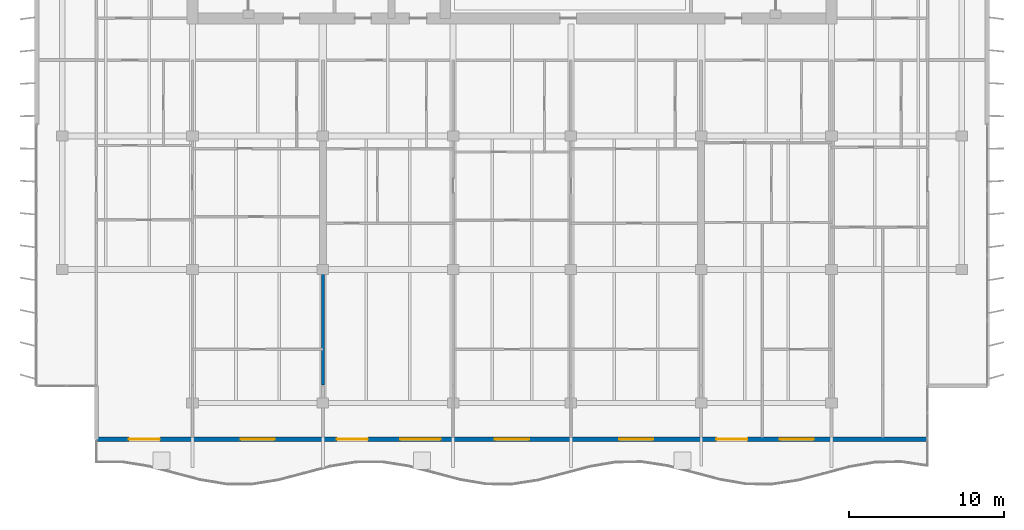
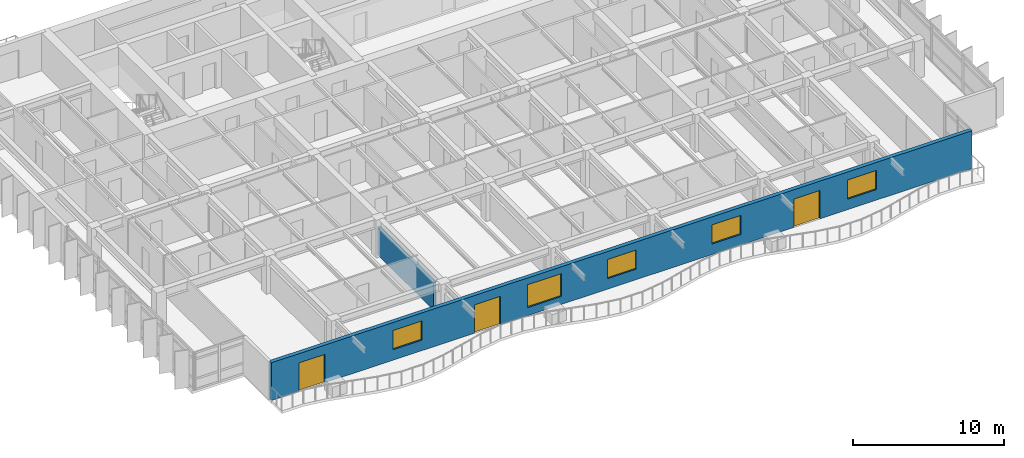
# One storey, part 7 of 19: 5 windows, 3 doors, 2 walls, 8 openings.
"""IFC4 building model written with IfcOpenShell, lengths in metres."""

from ifc_helpers import new_model, si_unit, direction, frame, frame_2d, origin, place, context, subcontext, project, spatial, rectangle, extrude, material, layer, layer_set, type_object, element, fill, save


model = new_model("IFC4")

# Units and contexts
model_context = context("Model", 3, precision=1e-05, world=origin(), true_north=direction((0.0, 1.0)))
body_context = subcontext(model_context, "Body", "Model", "MODEL_VIEW")
ifc_project = project(units=[si_unit("LENGTHUNIT", "METRE"), si_unit("AREAUNIT", "SQUARE_METRE"), si_unit("VOLUMEUNIT", "CUBIC_METRE"), si_unit("PLANEANGLEUNIT", "RADIAN"), si_unit("MASSUNIT", "GRAM", prefix="KILO")], contexts=[model_context])

# Site, building, storey
site_placement = place(None, origin())
site = spatial("IfcSite", under=ifc_project, at=site_placement, CompositionType="ELEMENT")
building_placement = place(site_placement, origin())
building = spatial("IfcBuilding", under=site, at=building_placement, Name="Caelmar Bay Residences", CompositionType="ELEMENT")
storey_placement = place(building_placement, frame((0.0, 0.0, 256.199951171875)))
storey = spatial("IfcBuildingStorey", under=building, at=storey_placement, Name="L72", CompositionType="ELEMENT", Elevation=256.199951171875)

# Wall, openings, doors, windows
ifc_material_1 = material(Name="Precast concrete f'c 40 MPa (6,000 psi)", Category="concrete")
ifc_layer_1 = layer(ifc_material_1, 0.300048828125)
ifc_layer_set_1 = layer_set([ifc_layer_1], Name="Precast concrete f'c 40 MPa (6,000 psi)")
wall_type_1 = type_object("IfcWallType", Name="W-EXT-300", PredefinedType="STANDARD", material=ifc_layer_set_1)
wall_1_placement = place(storey_placement, frame((65.699951171875, 9.85009765625, 0.0), z_axis=(0.0, 0.0, 1.0), x_axis=(-1.0, 0.0, 0.0)))
wall_1 = element("IfcWall", 1, at=wall_1_placement, inside=storey, type_object=wall_type_1, Name="L72 South Bayfront Exterior Wall", PredefinedType="STANDARD", context=body_context, shape_type="SweptSolid", body=[
    extrude(rectangle(XDim=53.599853515625, YDim=0.300048828125, at=frame_2d((26.7998046875, 0.0))), origin(), (0.0, 0.0, 1.0), 3.050048828125),
])
opening_1_placement = place(wall_1_placement, frame((49.5, 0.0, 0.0)))
opening_1 = element("IfcOpeningElement", 2, at=opening_1_placement, cuts=wall_1, Name="Opening L72-BD01", PredefinedType="OPENING", context=body_context, shape_type="SweptSolid", body=[
    extrude(rectangle(XDim=2.0, YDim=2.300048828125, at=frame_2d((1.0, 1.14990234375))), frame((0.0, 0.159912109375, 0.0), z_axis=(0.0, -1.0, 0.0), x_axis=(1.0, 0.0, 0.0)), (0.0, 0.0, 1.0), 0.320068359375),
])
opening_2_placement = place(wall_1_placement, frame((42.10009765625, 0.0, 0.85009765625)))
opening_2 = element("IfcOpeningElement", 3, at=opening_2_placement, cuts=wall_1, Name="Opening WN2", PredefinedType="OPENING", context=body_context, shape_type="SweptSolid", body=[
    extrude(rectangle(XDim=2.199951171875, YDim=1.550048828125, at=frame_2d((1.10009765625, 0.77490234375))), frame((0.0, 0.159912109375, 0.0), z_axis=(0.0, -1.0, 0.0), x_axis=(1.0, 0.0, 0.0)), (0.0, 0.0, 1.0), 0.320068359375),
])
opening_3_placement = place(wall_1_placement, frame((36.090087890625, 0.0, 0.0)))
opening_3 = element("IfcOpeningElement", 4, at=opening_3_placement, cuts=wall_1, Name="Opening L72-BD02", PredefinedType="OPENING", context=body_context, shape_type="SweptSolid", body=[
    extrude(rectangle(XDim=2.0, YDim=2.300048828125, at=frame_2d((1.0, 1.14990234375))), frame((0.0, 0.159912109375, 0.0), z_axis=(0.0, -1.0, 0.0), x_axis=(1.0, 0.0, 0.0)), (0.0, 0.0, 1.0), 0.320068359375),
])
opening_4_placement = place(wall_1_placement, frame((31.409912109375, 0.0, 0.64990234375)))
opening_4 = element("IfcOpeningElement", 5, at=opening_4_placement, cuts=wall_1, Name="Opening WN3", PredefinedType="OPENING", context=body_context, shape_type="SweptSolid", body=[
    extrude(rectangle(XDim=2.60009765625, YDim=1.85009765625, at=frame_2d((1.300048828125, 0.925048828125))), frame((0.0, 0.159912109375, 0.0), z_axis=(0.0, -1.0, 0.0), x_axis=(1.0, 0.0, 0.0)), (0.0, 0.0, 1.0), 0.320068359375),
])
opening_5_placement = place(wall_1_placement, frame((25.699951171875, 0.0, 0.85009765625)))
opening_5 = element("IfcOpeningElement", 6, at=opening_5_placement, cuts=wall_1, Name="Opening WN2", PredefinedType="OPENING", context=body_context, shape_type="SweptSolid", body=[
    extrude(rectangle(XDim=2.199951171875, YDim=1.550048828125, at=frame_2d((1.10009765625, 0.77490234375))), frame((0.0, 0.159912109375, 0.0), z_axis=(0.0, -1.0, 0.0), x_axis=(1.0, 0.0, 0.0)), (0.0, 0.0, 1.0), 0.320068359375),
])
opening_6_placement = place(wall_1_placement, frame((17.699951171875, 0.0, 0.85009765625)))
opening_6 = element("IfcOpeningElement", 7, at=opening_6_placement, cuts=wall_1, Name="Opening WN2", PredefinedType="OPENING", context=body_context, shape_type="SweptSolid", body=[
    extrude(rectangle(XDim=2.199951171875, YDim=1.550048828125, at=frame_2d((1.10009765625, 0.77490234375))), frame((0.0, 0.159912109375, 0.0), z_axis=(0.0, -1.0, 0.0), x_axis=(1.0, 0.0, 0.0)), (0.0, 0.0, 1.0), 0.320068359375),
])
opening_7_placement = place(wall_1_placement, frame((11.6259765625, 0.0, 0.0)))
opening_7 = element("IfcOpeningElement", 8, at=opening_7_placement, cuts=wall_1, Name="Opening L72-BD03", PredefinedType="OPENING", context=body_context, shape_type="SweptSolid", body=[
    extrude(rectangle(XDim=2.0, YDim=2.300048828125, at=frame_2d((1.0, 1.14990234375))), frame((0.0, 0.159912109375, 0.0), z_axis=(0.0, -1.0, 0.0), x_axis=(1.0, 0.0, 0.0)), (0.0, 0.0, 1.0), 0.320068359375),
])
opening_8_placement = place(wall_1_placement, frame((7.325927734375, 0.0, 0.85009765625)))
opening_8 = element("IfcOpeningElement", 9, at=opening_8_placement, cuts=wall_1, Name="Opening WN2", PredefinedType="OPENING", context=body_context, shape_type="SweptSolid", body=[
    extrude(rectangle(XDim=2.199951171875, YDim=1.550048828125, at=frame_2d((1.10009765625, 0.77490234375))), frame((0.0, 0.159912109375, 0.0), z_axis=(0.0, -1.0, 0.0), x_axis=(1.0, 0.0, 0.0)), (0.0, 0.0, 1.0), 0.320068359375),
])
ifc_material_2 = material(Name="Anodised bronze thermally broken sliding glass door", Category="glass")
ifc_layer_2 = layer(ifc_material_2, 0.050048828125)
ifc_layer_set_2 = layer_set([ifc_layer_2], Name="Anodised bronze thermally broken sliding glass door")
door_type = type_object("IfcDoorType", Name="D-BAL-2000", OperationType="DOUBLE_DOOR_SLIDING", PredefinedType="DOOR", material=ifc_layer_set_2)
door_1_placement = place(opening_1_placement, origin())
door_1 = element("IfcDoor", 10, at=door_1_placement, inside=storey, type_object=door_type, Name="L72 Residence 01 Penthouse Living Salon Balcony Door", OperationType="DOUBLE_DOOR_SLIDING", OverallHeight=2.300048828125, OverallWidth=2.0, PredefinedType="DOOR", context=body_context, shape_type="SweptSolid", body=[
    extrude(rectangle(XDim=2.0, YDim=2.300048828125, at=frame_2d((1.0, 1.14990234375))), frame((0.0, 0.02490234375, 0.0), z_axis=(0.0, -1.0, 0.0), x_axis=(1.0, 0.0, 0.0)), (0.0, 0.0, 1.0), 0.050048828125),
])
fill(opening_1, door_1)
door_2_placement = place(opening_3_placement, origin())
door_2 = element("IfcDoor", 11, at=door_2_placement, inside=storey, type_object=door_type, Name="L72 Residence 02 Penthouse Living Salon Balcony Door", OperationType="DOUBLE_DOOR_SLIDING", OverallHeight=2.300048828125, OverallWidth=2.0, PredefinedType="DOOR", context=body_context, shape_type="SweptSolid", body=[
    extrude(rectangle(XDim=2.0, YDim=2.300048828125, at=frame_2d((1.0, 1.14990234375))), frame((0.0, 0.02490234375, 0.0), z_axis=(0.0, -1.0, 0.0), x_axis=(1.0, 0.0, 0.0)), (0.0, 0.0, 1.0), 0.050048828125),
])
fill(opening_3, door_2)
door_3_placement = place(opening_7_placement, origin())
door_3 = element("IfcDoor", 12, at=door_3_placement, inside=storey, type_object=door_type, Name="L72 Residence 03 Living Room Balcony Door", OperationType="DOUBLE_DOOR_SLIDING", OverallHeight=2.300048828125, OverallWidth=2.0, PredefinedType="DOOR", context=body_context, shape_type="SweptSolid", body=[
    extrude(rectangle(XDim=2.0, YDim=2.300048828125, at=frame_2d((1.0, 1.14990234375))), frame((0.0, 0.02490234375, 0.0), z_axis=(0.0, -1.0, 0.0), x_axis=(1.0, 0.0, 0.0)), (0.0, 0.0, 1.0), 0.050048828125),
])
fill(opening_7, door_3)
ifc_material_3 = material(Name="Bronze aluminium frame with laminated low-E glass", Category="aluminium")
ifc_layer_3 = layer(ifc_material_3, 0.06005859375)
ifc_layer_set_3 = layer_set([ifc_layer_3], Name="Bronze aluminium frame with laminated low-E glass")
window_type_1 = type_object("IfcWindowType", Name="WIN-BR-2200", PartitioningType="SINGLE_PANEL", PredefinedType="WINDOW", material=ifc_layer_set_3)
window_1_placement = place(opening_2_placement, origin())
window_1 = element("IfcWindow", 13, at=window_1_placement, inside=storey, type_object=window_type_1, Name="L72 Residence 01 Primary Bedroom 1 Window", OverallHeight=1.550048828125, OverallWidth=2.199951171875, PartitioningType="SINGLE_PANEL", PredefinedType="WINDOW", context=body_context, shape_type="SweptSolid", body=[
    extrude(rectangle(XDim=2.199951171875, YDim=1.550048828125, at=frame_2d((1.10009765625, 0.77490234375))), frame((0.0, 0.030029296875, 0.0), z_axis=(0.0, -1.0, 0.0), x_axis=(1.0, 0.0, 0.0)), (0.0, 0.0, 1.0), 0.06005859375),
])
fill(opening_2, window_1)
window_2_placement = place(opening_5_placement, origin())
window_2 = element("IfcWindow", 14, at=window_2_placement, inside=storey, type_object=window_type_1, Name="L72 Residence 02 Primary Bedroom 1 Window", OverallHeight=1.550048828125, OverallWidth=2.199951171875, PartitioningType="SINGLE_PANEL", PredefinedType="WINDOW", context=body_context, shape_type="SweptSolid", body=[
    extrude(rectangle(XDim=2.199951171875, YDim=1.550048828125, at=frame_2d((1.10009765625, 0.77490234375))), frame((0.0, 0.030029296875, 0.0), z_axis=(0.0, -1.0, 0.0), x_axis=(1.0, 0.0, 0.0)), (0.0, 0.0, 1.0), 0.06005859375),
])
fill(opening_5, window_2)
window_3_placement = place(opening_6_placement, origin())
window_3 = element("IfcWindow", 15, at=window_3_placement, inside=storey, type_object=window_type_1, Name="L72 Residence 02 Primary Bedroom 2 Window", OverallHeight=1.550048828125, OverallWidth=2.199951171875, PartitioningType="SINGLE_PANEL", PredefinedType="WINDOW", context=body_context, shape_type="SweptSolid", body=[
    extrude(rectangle(XDim=2.199951171875, YDim=1.550048828125, at=frame_2d((1.10009765625, 0.77490234375))), frame((0.0, 0.030029296875, 0.0), z_axis=(0.0, -1.0, 0.0), x_axis=(1.0, 0.0, 0.0)), (0.0, 0.0, 1.0), 0.06005859375),
])
fill(opening_6, window_3)
window_4_placement = place(opening_8_placement, origin())
window_4 = element("IfcWindow", 16, at=window_4_placement, inside=storey, type_object=window_type_1, Name="L72 Residence 03 Primary Bedroom Window", OverallHeight=1.550048828125, OverallWidth=2.199951171875, PartitioningType="SINGLE_PANEL", PredefinedType="WINDOW", context=body_context, shape_type="SweptSolid", body=[
    extrude(rectangle(XDim=2.199951171875, YDim=1.550048828125, at=frame_2d((1.10009765625, 0.77490234375))), frame((0.0, 0.030029296875, 0.0), z_axis=(0.0, -1.0, 0.0), x_axis=(1.0, 0.0, 0.0)), (0.0, 0.0, 1.0), 0.06005859375),
])
fill(opening_8, window_4)
ifc_layer_4 = layer(ifc_material_3, 0.06005859375)
ifc_layer_set_4 = layer_set([ifc_layer_4], Name="Bronze aluminium frame with laminated low-E glass")
window_type_2 = type_object("IfcWindowType", Name="WIN-LIV-2600", PartitioningType="SINGLE_PANEL", PredefinedType="WINDOW", material=ifc_layer_set_4)
window_5_placement = place(opening_4_placement, origin())
window_5 = element("IfcWindow", 17, at=window_5_placement, inside=storey, type_object=window_type_2, Name="L72 Residence 02 Penthouse Living Salon Panoramic Window", OverallHeight=1.85009765625, OverallWidth=2.60009765625, PartitioningType="SINGLE_PANEL", PredefinedType="WINDOW", context=body_context, shape_type="SweptSolid", body=[
    extrude(rectangle(XDim=2.60009765625, YDim=1.85009765625, at=frame_2d((1.300048828125, 0.925048828125))), frame((0.0, 0.030029296875, 0.0), z_axis=(0.0, -1.0, 0.0), x_axis=(1.0, 0.0, 0.0)), (0.0, 0.0, 1.0), 0.06005859375),
])
fill(opening_4, window_5)

# Wall
ifc_material_4 = material(Name="Acoustic twin-stud fire-rated inter-tenancy partition 200 mm")
ifc_layer_5 = layer(ifc_material_4, 0.199951171875)
ifc_layer_set_5 = layer_set([ifc_layer_5], Name="Acoustic twin-stud fire-rated inter-tenancy partition 200 mm")
wall_type_2 = type_object("IfcWallType", Name="W-PTY-200", PredefinedType="PARTITIONING", material=ifc_layer_set_5)
wall_2_placement = place(storey_placement, frame((26.699951171875, 13.340087890625, 0.0), z_axis=(0.0, 0.0, 1.0), x_axis=(0.0, 1.0, 0.0)))
element("IfcWall", 18, at=wall_2_placement, inside=storey, type_object=wall_type_2, Name="L72 Partition Wall V018", PredefinedType="PARTITIONING", context=body_context, shape_type="SweptSolid", body=[
    extrude(rectangle(XDim=7.454833984375, YDim=0.199951171875, at=frame_2d((3.7275390625, 0.0))), origin(), (0.0, 0.0, 1.0), 2.262939453125),
])

save(model, "model.ifc")
